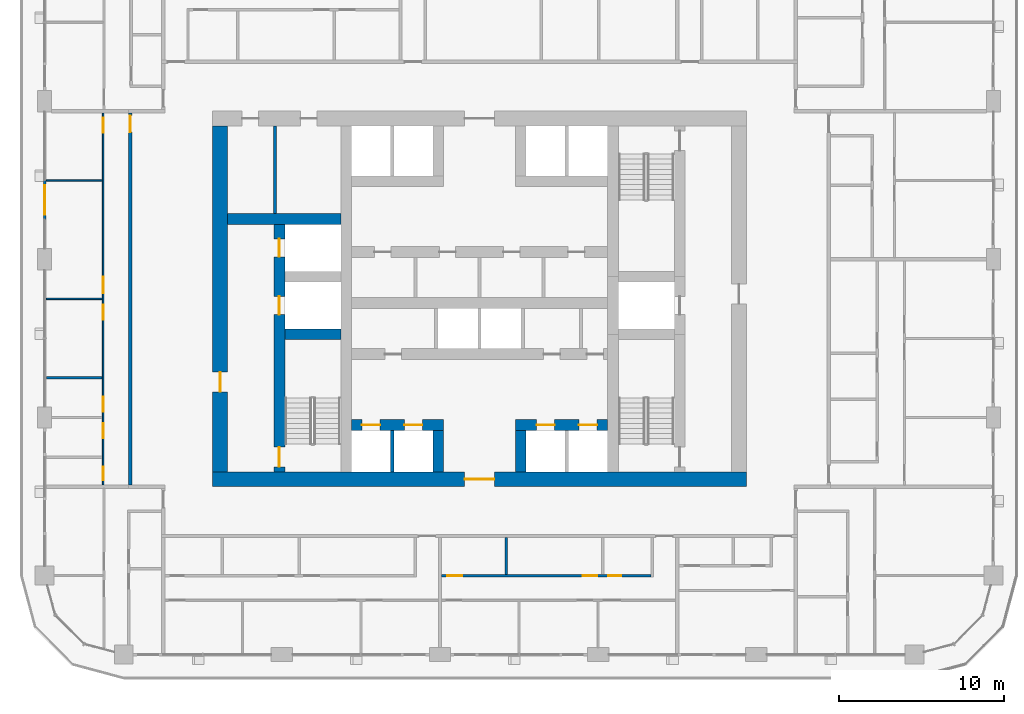
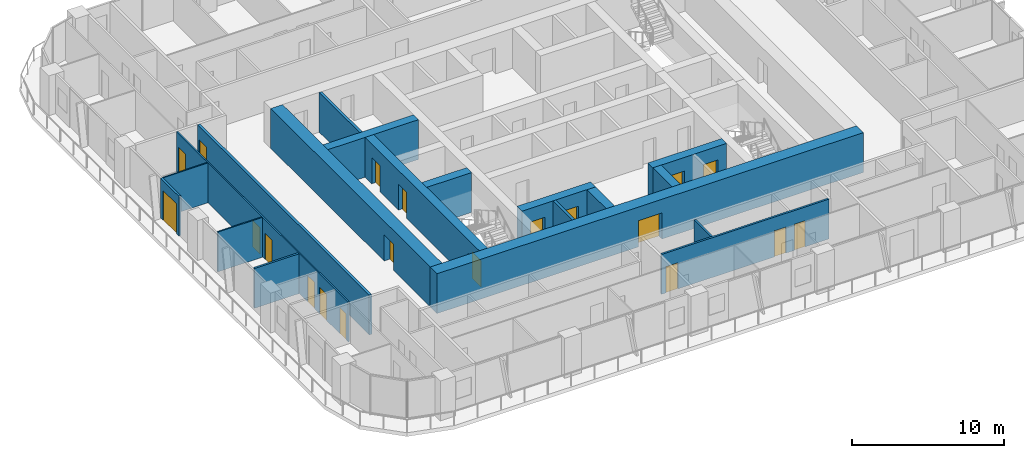
# One storey, part 10 of 21: 20 doors, 19 walls, 20 openings.
"""IFC4 building model written with IfcOpenShell, lengths in metres."""

from ifc_helpers import new_model, si_unit, direction, frame, frame_2d, origin, place, context, subcontext, project, spatial, rectangle, extrude, material, layer, layer_set, type_object, element, fill, save


model = new_model("IFC4")

# Units and contexts
model_context = context("Model", 3, precision=1e-05, world=origin(), true_north=direction((0.0, 1.0)))
body_context = subcontext(model_context, "Body", "Model", "MODEL_VIEW")
ifc_project = project(units=[si_unit("LENGTHUNIT", "METRE"), si_unit("AREAUNIT", "SQUARE_METRE"), si_unit("VOLUMEUNIT", "CUBIC_METRE"), si_unit("PLANEANGLEUNIT", "RADIAN"), si_unit("MASSUNIT", "GRAM", prefix="KILO")], contexts=[model_context])

# Site, building, storey
site_placement = place(None, origin())
site = spatial("IfcSite", under=ifc_project, at=site_placement, CompositionType="ELEMENT")
building_placement = place(site_placement, origin())
building = spatial("IfcBuilding", under=site, at=building_placement, Name="Madar Terraces", CompositionType="ELEMENT")
storey_placement = place(building_placement, frame((0.0, 0.0, 92.699951171875)))
storey = spatial("IfcBuildingStorey", under=building, at=storey_placement, Name="L23", CompositionType="ELEMENT", Elevation=92.699951171875)

# Wall, openings, doors
ifc_material_1 = material(Name="Concrete C80/95", Category="concrete")
ifc_layer_1 = layer(ifc_material_1, 0.64990234375)
ifc_layer_set_1 = layer_set([ifc_layer_1], Name="Concrete C80/95 (CIW2 RC wall 650)")
wall_type_1 = type_object("IfcWallType", Name="CIW2 RC wall 650", PredefinedType="SHEAR", material=ifc_layer_set_1)
wall_1_placement = place(storey_placement, frame((19.050048828125, 15.89990234375, 0.0), z_axis=(0.0, 0.0, 1.0), x_axis=(0.0, 1.0, 0.0)))
wall_1 = element("IfcWall", 1, at=wall_1_placement, inside=storey, type_object=wall_type_1, Name="CORE SHAFT WALL", PredefinedType="SHEAR", context=body_context, shape_type="SweptSolid", body=[
    extrude(rectangle(XDim=15.025146484375, YDim=0.64990234375, at=frame_2d((7.5126953125, 0.0))), origin(), (0.0, 0.0, 1.0), 3.199951171875),
])
opening_1_placement = place(wall_1_placement, frame((9.550048828125, 0.0, 0.0)))
opening_1 = element("IfcOpeningElement", 2, at=opening_1_placement, cuts=wall_1, Name="Opening LD", PredefinedType="OPENING", context=body_context, shape_type="SweptSolid", body=[
    extrude(rectangle(XDim=1.10009765625, YDim=2.10009765625, at=frame_2d((0.550048828125, 1.050048828125))), frame((0.0, 0.3349609375, 0.0), z_axis=(0.0, -1.0, 0.0), x_axis=(1.0, 0.0, 0.0)), (0.0, 0.0, 1.0), 0.669921875),
])
opening_2_placement = place(wall_1_placement, frame((13.050048828125, 0.0, 0.0)))
opening_2 = element("IfcOpeningElement", 3, at=opening_2_placement, cuts=wall_1, Name="Opening LD", PredefinedType="OPENING", context=body_context, shape_type="SweptSolid", body=[
    extrude(rectangle(XDim=1.10009765625, YDim=2.10009765625, at=frame_2d((0.550048828125, 1.050048828125))), frame((0.0, 0.3349609375, 0.0), z_axis=(0.0, -1.0, 0.0), x_axis=(1.0, 0.0, 0.0)), (0.0, 0.0, 1.0), 0.669921875),
])
opening_3_placement = place(wall_1_placement, frame((0.300048828125, 0.0, 0.0)))
opening_3 = element("IfcOpeningElement", 4, at=opening_3_placement, cuts=wall_1, Name="Opening SD1", PredefinedType="OPENING", context=body_context, shape_type="SweptSolid", body=[
    extrude(rectangle(XDim=1.199951171875, YDim=2.10009765625, at=frame_2d((0.60009765625, 1.050048828125))), frame((0.0, 0.3349609375, 0.0), z_axis=(0.0, -1.0, 0.0), x_axis=(1.0, 0.0, 0.0)), (0.0, 0.0, 1.0), 0.669921875),
])
ifc_material_2 = material(Name="Stainless steel panel", Category="steel")
door_type_1 = type_object("IfcDoorType", Name="Lift landing door 1100 x 2100", OperationType="DOUBLE_DOOR_SLIDING", PredefinedType="DOOR", material=ifc_material_2)
door_1_placement = place(opening_1_placement, origin())
door_1 = element("IfcDoor", 5, at=door_1_placement, inside=storey, type_object=door_type_1, Name="LIFT LANDING DOOR", OperationType="DOUBLE_DOOR_SLIDING", OverallHeight=2.10009765625, OverallWidth=1.10009765625, PredefinedType="DOOR", context=body_context, shape_type="SweptSolid", body=[
    extrude(rectangle(XDim=1.10009765625, YDim=2.10009765625, at=frame_2d((0.550048828125, 1.050048828125))), frame((0.0, 0.02490234375, 0.0), z_axis=(0.0, -1.0, 0.0), x_axis=(1.0, 0.0, 0.0)), (0.0, 0.0, 1.0), 0.050048828125),
])
fill(opening_1, door_1)
door_2_placement = place(opening_2_placement, origin())
door_2 = element("IfcDoor", 6, at=door_2_placement, inside=storey, type_object=door_type_1, Name="LIFT LANDING DOOR", OperationType="DOUBLE_DOOR_SLIDING", OverallHeight=2.10009765625, OverallWidth=1.10009765625, PredefinedType="DOOR", context=body_context, shape_type="SweptSolid", body=[
    extrude(rectangle(XDim=1.10009765625, YDim=2.10009765625, at=frame_2d((0.550048828125, 1.050048828125))), frame((0.0, 0.02490234375, 0.0), z_axis=(0.0, -1.0, 0.0), x_axis=(1.0, 0.0, 0.0)), (0.0, 0.0, 1.0), 0.050048828125),
])
fill(opening_2, door_2)
ifc_material_3 = material(Name="Steel door leaf", Category="steel")
door_type_2 = type_object("IfcDoorType", Name="Stair door 1200 x 2100", OperationType="NOTDEFINED", PredefinedType="DOOR", material=ifc_material_3)
door_3_placement = place(opening_3_placement, frame((1.199951171875, 0.0, 0.0), z_axis=(0.0, 0.0, 1.0), x_axis=(-1.0, 0.0, 0.0)))
door_3 = element("IfcDoor", 7, at=door_3_placement, inside=storey, type_object=door_type_2, Name="STAIR DOOR", OperationType="SINGLE_SWING_LEFT", OverallHeight=2.10009765625, OverallWidth=1.199951171875, PredefinedType="DOOR", context=body_context, shape_type="SweptSolid", body=[
    extrude(rectangle(XDim=1.199951171875, YDim=2.10009765625, at=frame_2d((0.60009765625, 1.050048828125))), frame((0.0, 0.02490234375, 0.0), z_axis=(0.0, -1.0, 0.0), x_axis=(1.0, 0.0, 0.0)), (0.0, 0.0, 1.0), 0.050048828125),
])
fill(opening_3, door_3)

# Walls
wall_2_placement = place(storey_placement, frame((19.375, 24.25, 0.0), z_axis=(0.0, 0.0, 1.0), x_axis=(1.0, 0.0, 0.0)))
element("IfcWall", 8, at=wall_2_placement, inside=storey, type_object=wall_type_1, Name="CORE SHAFT WALL", PredefinedType="SHEAR", context=body_context, shape_type="SweptSolid", body=[
    extrude(rectangle(XDim=3.39990234375, YDim=0.64990234375, at=frame_2d((1.699951171875, 0.0))), origin(), (0.0, 0.0, 1.0), 3.199951171875),
])
wall_3_placement = place(storey_placement, frame((15.89990234375, 31.25, 0.0), z_axis=(0.0, 0.0, 1.0), x_axis=(1.0, 0.0, 0.0)))
element("IfcWall", 9, at=wall_3_placement, inside=storey, type_object=wall_type_1, Name="CORE SHAFT WALL", PredefinedType="SHEAR", context=body_context, shape_type="SweptSolid", body=[
    extrude(rectangle(XDim=6.875, YDim=0.64990234375, at=frame_2d((3.4375, 0.0))), origin(), (0.0, 0.0, 1.0), 3.199951171875),
])

# Wall, openings, doors
wall_4_placement = place(storey_placement, frame((23.425048828125, 18.75, 0.0), z_axis=(0.0, 0.0, 1.0), x_axis=(1.0, 0.0, 0.0)))
wall_4 = element("IfcWall", 10, at=wall_4_placement, inside=storey, type_object=wall_type_1, Name="CORE SHAFT WALL", PredefinedType="SHEAR", context=body_context, shape_type="SweptSolid", body=[
    extrude(rectangle(XDim=5.599853515625, YDim=0.64990234375, at=frame_2d((2.7998046875, 0.0))), origin(), (0.0, 0.0, 1.0), 3.199951171875),
])
opening_4_placement = place(wall_4_placement, frame((0.637451171875, 0.0, 0.0)))
opening_4 = element("IfcOpeningElement", 11, at=opening_4_placement, cuts=wall_4, Name="Opening LD", PredefinedType="OPENING", context=body_context, shape_type="SweptSolid", body=[
    extrude(rectangle(XDim=1.10009765625, YDim=2.10009765625, at=frame_2d((0.550048828125, 1.050048828125))), frame((0.0, 0.3349609375, 0.0), z_axis=(0.0, -1.0, 0.0), x_axis=(1.0, 0.0, 0.0)), (0.0, 0.0, 1.0), 0.669921875),
])
opening_5_placement = place(wall_4_placement, frame((3.21240234375, 0.0, 0.0)))
opening_5 = element("IfcOpeningElement", 12, at=opening_5_placement, cuts=wall_4, Name="Opening LD", PredefinedType="OPENING", context=body_context, shape_type="SweptSolid", body=[
    extrude(rectangle(XDim=1.10009765625, YDim=2.10009765625, at=frame_2d((0.550048828125, 1.050048828125))), frame((0.0, 0.3349609375, 0.0), z_axis=(0.0, -1.0, 0.0), x_axis=(1.0, 0.0, 0.0)), (0.0, 0.0, 1.0), 0.669921875),
])
door_4_placement = place(opening_4_placement, origin())
door_4 = element("IfcDoor", 13, at=door_4_placement, inside=storey, type_object=door_type_1, Name="LIFT LANDING DOOR", OperationType="DOUBLE_DOOR_SLIDING", OverallHeight=2.10009765625, OverallWidth=1.10009765625, PredefinedType="DOOR", context=body_context, shape_type="SweptSolid", body=[
    extrude(rectangle(XDim=1.10009765625, YDim=2.10009765625, at=frame_2d((0.550048828125, 1.050048828125))), frame((0.0, 0.02490234375, 0.0), z_axis=(0.0, -1.0, 0.0), x_axis=(1.0, 0.0, 0.0)), (0.0, 0.0, 1.0), 0.050048828125),
])
fill(opening_4, door_4)
door_5_placement = place(opening_5_placement, origin())
door_5 = element("IfcDoor", 14, at=door_5_placement, inside=storey, type_object=door_type_1, Name="LIFT LANDING DOOR", OperationType="DOUBLE_DOOR_SLIDING", OverallHeight=2.10009765625, OverallWidth=1.10009765625, PredefinedType="DOOR", context=body_context, shape_type="SweptSolid", body=[
    extrude(rectangle(XDim=1.10009765625, YDim=2.10009765625, at=frame_2d((0.550048828125, 1.050048828125))), frame((0.0, 0.02490234375, 0.0), z_axis=(0.0, -1.0, 0.0), x_axis=(1.0, 0.0, 0.0)), (0.0, 0.0, 1.0), 0.050048828125),
])
fill(opening_5, door_5)

wall_5_placement = place(storey_placement, frame((33.375, 18.75, 0.0), z_axis=(0.0, 0.0, 1.0), x_axis=(1.0, 0.0, 0.0)))
wall_5 = element("IfcWall", 15, at=wall_5_placement, inside=storey, type_object=wall_type_1, Name="CORE SHAFT WALL", PredefinedType="SHEAR", context=body_context, shape_type="SweptSolid", body=[
    extrude(rectangle(XDim=5.60009765625, YDim=0.64990234375, at=frame_2d((2.800048828125, 0.0))), origin(), (0.0, 0.0, 1.0), 3.199951171875),
])
opening_6_placement = place(wall_5_placement, frame((1.28759765625, 0.0, 0.0)))
opening_6 = element("IfcOpeningElement", 16, at=opening_6_placement, cuts=wall_5, Name="Opening LD", PredefinedType="OPENING", context=body_context, shape_type="SweptSolid", body=[
    extrude(rectangle(XDim=1.10009765625, YDim=2.10009765625, at=frame_2d((0.550048828125, 1.050048828125))), frame((0.0, 0.3349609375, 0.0), z_axis=(0.0, -1.0, 0.0), x_axis=(1.0, 0.0, 0.0)), (0.0, 0.0, 1.0), 0.669921875),
])
opening_7_placement = place(wall_5_placement, frame((3.862548828125, 0.0, 0.0)))
opening_7 = element("IfcOpeningElement", 17, at=opening_7_placement, cuts=wall_5, Name="Opening LD", PredefinedType="OPENING", context=body_context, shape_type="SweptSolid", body=[
    extrude(rectangle(XDim=1.10009765625, YDim=2.10009765625, at=frame_2d((0.550048828125, 1.050048828125))), frame((0.0, 0.3349609375, 0.0), z_axis=(0.0, -1.0, 0.0), x_axis=(1.0, 0.0, 0.0)), (0.0, 0.0, 1.0), 0.669921875),
])
door_6_placement = place(opening_6_placement, origin())
door_6 = element("IfcDoor", 18, at=door_6_placement, inside=storey, type_object=door_type_1, Name="LIFT LANDING DOOR", OperationType="DOUBLE_DOOR_SLIDING", OverallHeight=2.10009765625, OverallWidth=1.10009765625, PredefinedType="DOOR", context=body_context, shape_type="SweptSolid", body=[
    extrude(rectangle(XDim=1.10009765625, YDim=2.10009765625, at=frame_2d((0.550048828125, 1.050048828125))), frame((0.0, 0.02490234375, 0.0), z_axis=(0.0, -1.0, 0.0), x_axis=(1.0, 0.0, 0.0)), (0.0, 0.0, 1.0), 0.050048828125),
])
fill(opening_6, door_6)
door_7_placement = place(opening_7_placement, origin())
door_7 = element("IfcDoor", 19, at=door_7_placement, inside=storey, type_object=door_type_1, Name="LIFT LANDING DOOR", OperationType="DOUBLE_DOOR_SLIDING", OverallHeight=2.10009765625, OverallWidth=1.10009765625, PredefinedType="DOOR", context=body_context, shape_type="SweptSolid", body=[
    extrude(rectangle(XDim=1.10009765625, YDim=2.10009765625, at=frame_2d((0.550048828125, 1.050048828125))), frame((0.0, 0.02490234375, 0.0), z_axis=(0.0, -1.0, 0.0), x_axis=(1.0, 0.0, 0.0)), (0.0, 0.0, 1.0), 0.050048828125),
])
fill(opening_7, door_7)

# Walls
for number, where, z_axis, x_axis, name in (
    (20, (28.699951171875, 15.89990234375, 0.0), (0.0, 0.0, 1.0), (0.0, 1.0, 0.0), "CORE SHAFT WALL"),
    (21, (33.699951171875, 15.89990234375, 0.0), (0.0, 0.0, 1.0), (0.0, 1.0, 0.0), "CORE SHAFT WALL"),
):
    element("IfcWall", number, at=place(storey_placement, frame(where, z_axis=z_axis, x_axis=x_axis)), inside=storey, type_object=wall_type_1, Name=name, PredefinedType="SHEAR", context=body_context, shape_type="SweptSolid", body=[
        extrude(rectangle(XDim=2.525146484375, YDim=0.64990234375, at=frame_2d((1.2626953125, 0.0))), origin(), (0.0, 0.0, 1.0), 3.199951171875),
    ])

# Wall, opening, door
ifc_material_4 = material(Name="Concrete C80/95", Category="concrete")
ifc_layer_2 = layer(ifc_material_4, 0.89990234375)
ifc_layer_set_2 = layer_set([ifc_layer_2], Name="Concrete C80/95 (CRW2 RC wall 900)")
wall_type_2 = type_object("IfcWallType", Name="CRW2 RC wall 900", PredefinedType="SHEAR", material=ifc_layer_set_2)
wall_6_placement = place(storey_placement, frame((15.0, 15.449951171875, 0.0), z_axis=(0.0, 0.0, 1.0), x_axis=(1.0, 0.0, 0.0)))
wall_6 = element("IfcWall", 22, at=wall_6_placement, inside=storey, type_object=wall_type_2, Name="CORE OUTER WALL", PredefinedType="SHEAR", context=body_context, shape_type="SweptSolid", body=[
    extrude(rectangle(XDim=32.39990234375, YDim=0.89990234375, at=frame_2d((16.199951171875, 0.0))), origin(), (0.0, 0.0, 1.0), 3.199951171875),
])
opening_8_placement = place(wall_6_placement, frame((15.300048828125, 0.0, 0.0)))
opening_8 = element("IfcOpeningElement", 23, at=opening_8_placement, cuts=wall_6, Name="Opening KD1", PredefinedType="OPENING", context=body_context, shape_type="SweptSolid", body=[
    extrude(rectangle(XDim=1.800048828125, YDim=2.10009765625, at=frame_2d((0.89990234375, 1.050048828125))), frame((0.0, 0.4599609375, 0.0), z_axis=(0.0, -1.0, 0.0), x_axis=(1.0, 0.0, 0.0)), (0.0, 0.0, 1.0), 0.919921875),
])
ifc_material_5 = material(Name="Steel door leaf", Category="steel")
door_type_3 = type_object("IfcDoorType", Name="Lobby door pair 1800 x 2100", OperationType="DOUBLE_DOOR_SINGLE_SWING", PredefinedType="DOOR", material=ifc_material_5)
door_8_placement = place(opening_8_placement, frame((1.800048828125, 0.0, 0.0), z_axis=(0.0, 0.0, 1.0), x_axis=(-1.0, 0.0, 0.0)))
door_8 = element("IfcDoor", 24, at=door_8_placement, inside=storey, type_object=door_type_3, Name="LIFT LOBBY DOOR", OperationType="DOUBLE_DOOR_SINGLE_SWING", OverallHeight=2.10009765625, OverallWidth=1.800048828125, PredefinedType="DOOR", context=body_context, shape_type="SweptSolid", body=[
    extrude(rectangle(XDim=1.800048828125, YDim=2.10009765625, at=frame_2d((0.89990234375, 1.050048828125))), frame((0.0, 0.02490234375, 0.0), z_axis=(0.0, -1.0, 0.0), x_axis=(1.0, 0.0, 0.0)), (0.0, 0.0, 1.0), 0.050048828125),
])
fill(opening_8, door_8)

wall_7_placement = place(storey_placement, frame((15.449951171875, 15.89990234375, 0.0), z_axis=(0.0, 0.0, 1.0), x_axis=(0.0, 1.0, 0.0)))
wall_7 = element("IfcWall", 25, at=wall_7_placement, inside=storey, type_object=wall_type_2, Name="CORE OUTER WALL", PredefinedType="SHEAR", context=body_context, shape_type="SweptSolid", body=[
    extrude(rectangle(XDim=21.0, YDim=0.89990234375, at=frame_2d((10.5, 0.0))), origin(), (0.0, 0.0, 1.0), 3.199951171875),
])
opening_9_placement = place(wall_7_placement, frame((4.860107421875, 0.0, 0.0)))
opening_9 = element("IfcOpeningElement", 26, at=opening_9_placement, cuts=wall_7, Name="Opening SD1", PredefinedType="OPENING", context=body_context, shape_type="SweptSolid", body=[
    extrude(rectangle(XDim=1.199951171875, YDim=2.10009765625, at=frame_2d((0.60009765625, 1.050048828125))), frame((0.0, 0.4599609375, 0.0), z_axis=(0.0, -1.0, 0.0), x_axis=(1.0, 0.0, 0.0)), (0.0, 0.0, 1.0), 0.919921875),
])
door_9_placement = place(opening_9_placement, frame((1.199951171875, 0.0, 0.0), z_axis=(0.0, 0.0, 1.0), x_axis=(-1.0, 0.0, 0.0)))
door_9 = element("IfcDoor", 27, at=door_9_placement, inside=storey, type_object=door_type_2, Name="STAIR DOOR", OperationType="SINGLE_SWING_RIGHT", OverallHeight=2.10009765625, OverallWidth=1.199951171875, PredefinedType="DOOR", context=body_context, shape_type="SweptSolid", body=[
    extrude(rectangle(XDim=1.199951171875, YDim=2.10009765625, at=frame_2d((0.60009765625, 1.050048828125))), frame((0.0, 0.02490234375, 0.0), z_axis=(0.0, -1.0, 0.0), x_axis=(1.0, 0.0, 0.0)), (0.0, 0.0, 1.0), 0.050048828125),
])
fill(opening_9, door_9)

# Walls
ifc_material_6 = material(Name="Masonry blockwork", Category="masonry")
ifc_layer_3 = layer(ifc_material_6, 0.199951171875)
ifc_layer_set_3 = layer_set([ifc_layer_3], Name="Core partition 200 blockwork")
wall_type_3 = type_object("IfcWallType", Name="Core partition 200 blockwork", PredefinedType="PARTITIONING", material=ifc_layer_set_3)
wall_8_placement = place(storey_placement, frame((18.78759765625, 31.574951171875, 0.0), z_axis=(0.0, 0.0, 1.0), x_axis=(0.0, 1.0, 0.0)))
element("IfcWall", 28, at=wall_8_placement, inside=storey, type_object=wall_type_3, Name="SERVICE ROOM PARTITION", PredefinedType="PARTITIONING", context=body_context, shape_type="SweptSolid", body=[
    extrude(rectangle(XDim=5.324951171875, YDim=0.199951171875, at=frame_2d((2.66259765625, 0.0))), origin(), (0.0, 0.0, 1.0), 3.199951171875),
])
ifc_material_7 = material(Name="Concrete C40/50", Category="concrete")
ifc_layer_4 = layer(ifc_material_7, 0.199951171875)
ifc_layer_set_4 = layer_set([ifc_layer_4], Name="Core shaft dividing wall 200 C40/50")
wall_type_4 = type_object("IfcWallType", Name="Core shaft dividing wall 200 C40/50", PredefinedType="SOLIDWALL", material=ifc_layer_set_4)
wall_9_placement = place(storey_placement, frame((25.89990234375, 15.89990234375, 0.0), z_axis=(0.0, 0.0, 1.0), x_axis=(0.0, 1.0, 0.0)))
element("IfcWall", 29, at=wall_9_placement, inside=storey, type_object=wall_type_4, Name="SHAFT DIVIDING WALL", PredefinedType="SOLIDWALL", context=body_context, shape_type="SweptSolid", body=[
    extrude(rectangle(XDim=2.525146484375, YDim=0.199951171875, at=frame_2d((1.2626953125, 0.0))), origin(), (0.0, 0.0, 1.0), 3.199951171875),
])

# Wall, opening, door
ifc_material_8 = material(Name="Aluminium composite panel, black, over insulated backing", Category="aluminium")
ifc_layer_5 = layer(ifc_material_8, 0.14990234375)
ifc_layer_set_5 = layer_set([ifc_layer_5], Name="Facade bay panel 150")
wall_type_5 = type_object("IfcWallType", Name="Facade bay panel 150", PredefinedType="SOLIDWALL", material=ifc_layer_set_5)
wall_10_placement = place(storey_placement, frame((4.800048828125, 33.60009765625, 0.0), z_axis=(0.0, 0.0, 1.0), x_axis=(0.0, -1.0, 0.0)))
wall_10 = element("IfcWall", 30, at=wall_10_placement, inside=storey, type_object=wall_type_5, Name="Facade bay panel", PredefinedType="SOLIDWALL", context=body_context, shape_type="SweptSolid", body=[
    extrude(rectangle(XDim=2.400146484375, YDim=0.14990234375, at=frame_2d((1.2001953125, 0.0))), origin(), (0.0, 0.0, 1.0), 3.199951171875),
])
opening_10_placement = place(wall_10_placement, frame((0.300048828125, 0.0, 0.0)))
opening_10 = element("IfcOpeningElement", 31, at=opening_10_placement, cuts=wall_10, Name="Opening ED1", PredefinedType="OPENING", context=body_context, shape_type="SweptSolid", body=[
    extrude(rectangle(XDim=1.800048828125, YDim=2.39990234375, at=frame_2d((0.89990234375, 1.199951171875))), frame((0.0, 0.0849609375, 0.0), z_axis=(0.0, -1.0, 0.0), x_axis=(1.0, 0.0, 0.0)), (0.0, 0.0, 1.0), 0.169921875),
])
ifc_material_9 = material(Name="Glass, clear, with black aluminium frame", Category="aluminium")
door_type_4 = type_object("IfcDoorType", Name="Balcony and terrace sliding door 1800 x 2400", OperationType="SLIDING_TO_LEFT", PredefinedType="DOOR", material=ifc_material_9)
door_10_placement = place(opening_10_placement, origin())
door_10 = element("IfcDoor", 32, at=door_10_placement, inside=storey, type_object=door_type_4, Name="Balcony door", OperationType="SLIDING_TO_LEFT", OverallHeight=2.39990234375, OverallWidth=1.800048828125, PredefinedType="DOOR", context=body_context, shape_type="SweptSolid", body=[
    extrude(rectangle(XDim=1.800048828125, YDim=2.39990234375, at=frame_2d((0.89990234375, 1.199951171875))), frame((0.0, 0.02490234375, 0.0), z_axis=(0.0, -1.0, 0.0), x_axis=(1.0, 0.0, 0.0)), (0.0, 0.0, 1.0), 0.050048828125),
])
fill(opening_10, door_10)

# Walls
ifc_material_10 = material(Name="Gypsum board on steel studs", Category="steel")
ifc_layer_6 = layer(ifc_material_10, 0.10009765625)
ifc_layer_set_6 = layer_set([ifc_layer_6], Name="Flat partition 100")
wall_type_6 = type_object("IfcWallType", Name="Flat partition 100", PredefinedType="PARTITIONING", material=ifc_layer_set_6)
for number, where, z_axis, x_axis, name in (
    (33, (8.300048828125, 33.60009765625, 0.0), (0.0, 0.0, 1.0), (-1.0, 0.0, 0.0), "Flat partition 100"),
    (34, (8.300048828125, 26.39990234375, 0.0), (0.0, 0.0, 1.0), (-1.0, 0.0, 0.0), "Flat partition 100"),
):
    element("IfcWall", number, at=place(storey_placement, frame(where, z_axis=z_axis, x_axis=x_axis)), inside=storey, type_object=wall_type_6, Name=name, PredefinedType="PARTITIONING", context=body_context, shape_type="SweptSolid", body=[
        extrude(rectangle(XDim=3.400146484375, YDim=0.10009765625, at=frame_2d((1.7001953125, 0.0))), origin(), (0.0, 0.0, 1.0), 3.199951171875),
    ])

# Wall, openings, doors
wall_11_placement = place(storey_placement, frame((8.35009765625, 15.10009765625, 0.0), z_axis=(0.0, 0.0, 1.0), x_axis=(0.0, 1.0, 0.0)))
wall_11 = element("IfcWall", 35, at=wall_11_placement, inside=storey, type_object=wall_type_6, Name="Flat partition 100", PredefinedType="PARTITIONING", context=body_context, shape_type="SweptSolid", body=[
    extrude(rectangle(XDim=22.599853515625, YDim=0.10009765625, at=frame_2d((11.2998046875, 0.0))), origin(), (0.0, 0.0, 1.0), 3.199951171875),
])
opening_11_placement = place(wall_11_placement, frame((21.39990234375, 0.0, 0.0)))
opening_11 = element("IfcOpeningElement", 36, at=opening_11_placement, cuts=wall_11, Name="Opening D2", PredefinedType="OPENING", context=body_context, shape_type="SweptSolid", body=[
    extrude(rectangle(XDim=0.89990234375, YDim=2.10009765625, at=frame_2d((0.449951171875, 1.050048828125))), frame((0.0, 0.06005859375, 0.0), z_axis=(0.0, -1.0, 0.0), x_axis=(1.0, 0.0, 0.0)), (0.0, 0.0, 1.0), 0.1201171875),
])
opening_12_placement = place(wall_11_placement, frame((11.64990234375, 0.0, 0.0)))
opening_12 = element("IfcOpeningElement", 37, at=opening_12_placement, cuts=wall_11, Name="Opening D3", PredefinedType="OPENING", context=body_context, shape_type="SweptSolid", body=[
    extrude(rectangle(XDim=1.0, YDim=2.10009765625, at=frame_2d((0.5, 1.050048828125))), frame((0.0, 0.06005859375, 0.0), z_axis=(0.0, -1.0, 0.0), x_axis=(1.0, 0.0, 0.0)), (0.0, 0.0, 1.0), 0.1201171875),
])
opening_13_placement = place(wall_11_placement, frame((10.050048828125, 0.0, 0.0)))
opening_13 = element("IfcOpeningElement", 38, at=opening_13_placement, cuts=wall_11, Name="Opening D2", PredefinedType="OPENING", context=body_context, shape_type="SweptSolid", body=[
    extrude(rectangle(XDim=0.89990234375, YDim=2.10009765625, at=frame_2d((0.449951171875, 1.050048828125))), frame((0.0, 0.06005859375, 0.0), z_axis=(0.0, -1.0, 0.0), x_axis=(1.0, 0.0, 0.0)), (0.0, 0.0, 1.0), 0.1201171875),
])
opening_14_placement = place(wall_11_placement, frame((4.449951171875, 0.0, 0.0)))
opening_14 = element("IfcOpeningElement", 39, at=opening_14_placement, cuts=wall_11, Name="Opening D5", PredefinedType="OPENING", context=body_context, shape_type="SweptSolid", body=[
    extrude(rectangle(XDim=0.89990234375, YDim=2.10009765625, at=frame_2d((0.449951171875, 1.050048828125))), frame((0.0, 0.06005859375, 0.0), z_axis=(0.0, -1.0, 0.0), x_axis=(1.0, 0.0, 0.0)), (0.0, 0.0, 1.0), 0.1201171875),
])
opening_15_placement = place(wall_11_placement, frame((2.85009765625, 0.0, 0.0)))
opening_15 = element("IfcOpeningElement", 40, at=opening_15_placement, cuts=wall_11, Name="Opening D2", PredefinedType="OPENING", context=body_context, shape_type="SweptSolid", body=[
    extrude(rectangle(XDim=0.89990234375, YDim=2.10009765625, at=frame_2d((0.449951171875, 1.050048828125))), frame((0.0, 0.06005859375, 0.0), z_axis=(0.0, -1.0, 0.0), x_axis=(1.0, 0.0, 0.0)), (0.0, 0.0, 1.0), 0.1201171875),
])
opening_16_placement = place(wall_11_placement, frame((0.300048828125, 0.0, 0.0)))
opening_16 = element("IfcOpeningElement", 41, at=opening_16_placement, cuts=wall_11, Name="Opening D4", PredefinedType="OPENING", context=body_context, shape_type="SweptSolid", body=[
    extrude(rectangle(XDim=0.800048828125, YDim=2.10009765625, at=frame_2d((0.39990234375, 1.050048828125))), frame((0.0, 0.06005859375, 0.0), z_axis=(0.0, -1.0, 0.0), x_axis=(1.0, 0.0, 0.0)), (0.0, 0.0, 1.0), 0.1201171875),
])
ifc_material_11 = material(Name="Timber door leaf", Category="wood")
door_type_5 = type_object("IfcDoorType", Name="Flat accessible bathroom door 900", OperationType="NOTDEFINED", PredefinedType="DOOR", material=ifc_material_11)
door_11_placement = place(opening_14_placement, origin())
door_11 = element("IfcDoor", 42, at=door_11_placement, inside=storey, type_object=door_type_5, Name="Flat accessible bathroom door 900", OperationType="SINGLE_SWING_LEFT", OverallHeight=2.10009765625, OverallWidth=0.89990234375, PredefinedType="DOOR", context=body_context, shape_type="SweptSolid", body=[
    extrude(rectangle(XDim=0.89990234375, YDim=2.10009765625, at=frame_2d((0.449951171875, 1.050048828125))), frame((0.0, 0.02490234375, 0.0), z_axis=(0.0, -1.0, 0.0), x_axis=(1.0, 0.0, 0.0)), (0.0, 0.0, 1.0), 0.050048828125),
])
fill(opening_14, door_11)
ifc_material_12 = material(Name="Timber door leaf", Category="wood")
door_type_6 = type_object("IfcDoorType", Name="Flat bathroom door 800", OperationType="NOTDEFINED", PredefinedType="DOOR", material=ifc_material_12)
door_12_placement = place(opening_16_placement, origin())
door_12 = element("IfcDoor", 43, at=door_12_placement, inside=storey, type_object=door_type_6, Name="Flat bathroom door 800", OperationType="SINGLE_SWING_LEFT", OverallHeight=2.10009765625, OverallWidth=0.800048828125, PredefinedType="DOOR", context=body_context, shape_type="SweptSolid", body=[
    extrude(rectangle(XDim=0.800048828125, YDim=2.10009765625, at=frame_2d((0.39990234375, 1.050048828125))), frame((0.0, 0.02490234375, 0.0), z_axis=(0.0, -1.0, 0.0), x_axis=(1.0, 0.0, 0.0)), (0.0, 0.0, 1.0), 0.050048828125),
])
fill(opening_16, door_12)
ifc_material_13 = material(Name="Timber door leaf", Category="wood")
door_type_7 = type_object("IfcDoorType", Name="Flat living room door 1000", OperationType="NOTDEFINED", PredefinedType="DOOR", material=ifc_material_13)
door_13_placement = place(opening_12_placement, origin())
door_13 = element("IfcDoor", 44, at=door_13_placement, inside=storey, type_object=door_type_7, Name="Flat living room door 1000", OperationType="SINGLE_SWING_LEFT", OverallHeight=2.10009765625, OverallWidth=1.0, PredefinedType="DOOR", context=body_context, shape_type="SweptSolid", body=[
    extrude(rectangle(XDim=1.0, YDim=2.10009765625, at=frame_2d((0.5, 1.050048828125))), frame((0.0, 0.02490234375, 0.0), z_axis=(0.0, -1.0, 0.0), x_axis=(1.0, 0.0, 0.0)), (0.0, 0.0, 1.0), 0.050048828125),
])
fill(opening_12, door_13)
ifc_material_14 = material(Name="Timber door leaf", Category="wood")
door_type_8 = type_object("IfcDoorType", Name="Flat room door 900", OperationType="NOTDEFINED", PredefinedType="DOOR", material=ifc_material_14)
door_14_placement = place(opening_11_placement, origin())
door_14 = element("IfcDoor", 45, at=door_14_placement, inside=storey, type_object=door_type_8, Name="Flat room door 900", OperationType="SINGLE_SWING_RIGHT", OverallHeight=2.10009765625, OverallWidth=0.89990234375, PredefinedType="DOOR", context=body_context, shape_type="SweptSolid", body=[
    extrude(rectangle(XDim=0.89990234375, YDim=2.10009765625, at=frame_2d((0.449951171875, 1.050048828125))), frame((0.0, 0.02490234375, 0.0), z_axis=(0.0, -1.0, 0.0), x_axis=(1.0, 0.0, 0.0)), (0.0, 0.0, 1.0), 0.050048828125),
])
fill(opening_11, door_14)
door_15_placement = place(opening_13_placement, origin())
door_15 = element("IfcDoor", 46, at=door_15_placement, inside=storey, type_object=door_type_8, Name="Flat room door 900", OperationType="SINGLE_SWING_RIGHT", OverallHeight=2.10009765625, OverallWidth=0.89990234375, PredefinedType="DOOR", context=body_context, shape_type="SweptSolid", body=[
    extrude(rectangle(XDim=0.89990234375, YDim=2.10009765625, at=frame_2d((0.449951171875, 1.050048828125))), frame((0.0, 0.02490234375, 0.0), z_axis=(0.0, -1.0, 0.0), x_axis=(1.0, 0.0, 0.0)), (0.0, 0.0, 1.0), 0.050048828125),
])
fill(opening_13, door_15)
door_16_placement = place(opening_15_placement, origin())
door_16 = element("IfcDoor", 47, at=door_16_placement, inside=storey, type_object=door_type_8, Name="Flat room door 900", OperationType="SINGLE_SWING_RIGHT", OverallHeight=2.10009765625, OverallWidth=0.89990234375, PredefinedType="DOOR", context=body_context, shape_type="SweptSolid", body=[
    extrude(rectangle(XDim=0.89990234375, YDim=2.10009765625, at=frame_2d((0.449951171875, 1.050048828125))), frame((0.0, 0.02490234375, 0.0), z_axis=(0.0, -1.0, 0.0), x_axis=(1.0, 0.0, 0.0)), (0.0, 0.0, 1.0), 0.050048828125),
])
fill(opening_15, door_16)

# Wall, opening, door
ifc_material_15 = material(Name="Lightweight blockwork", Category="masonry")
ifc_layer_7 = layer(ifc_material_15, 0.199951171875)
ifc_layer_set_7 = layer_set([ifc_layer_7], Name="Flat party and entrance wall 200")
wall_type_7 = type_object("IfcWallType", Name="Flat party and entrance wall 200", PredefinedType="PARTITIONING", material=ifc_layer_set_7)
wall_12_placement = place(storey_placement, frame((10.0, 15.10009765625, 0.0), z_axis=(0.0, 0.0, 1.0), x_axis=(0.0, 1.0, 0.0)))
wall_12 = element("IfcWall", 48, at=wall_12_placement, inside=storey, type_object=wall_type_7, Name="Flat party and entrance wall 200", PredefinedType="PARTITIONING", context=body_context, shape_type="SweptSolid", body=[
    extrude(rectangle(XDim=22.599853515625, YDim=0.199951171875, at=frame_2d((11.2998046875, 0.0))), origin(), (0.0, 0.0, 1.0), 3.199951171875),
])
opening_17_placement = place(wall_12_placement, frame((21.425048828125, 0.0, 0.0)))
opening_17 = element("IfcOpeningElement", 49, at=opening_17_placement, cuts=wall_12, Name="Opening D1", PredefinedType="OPENING", context=body_context, shape_type="SweptSolid", body=[
    extrude(rectangle(XDim=1.0, YDim=2.10009765625, at=frame_2d((0.5, 1.050048828125))), frame((0.0, 0.10986328125, 0.0), z_axis=(0.0, -1.0, 0.0), x_axis=(1.0, 0.0, 0.0)), (0.0, 0.0, 1.0), 0.219970703125),
])
ifc_material_16 = material(Name="Timber fire door leaf", Category="wood")
door_type_9 = type_object("IfcDoorType", Name="Flat entrance door 1000 FD30S", OperationType="NOTDEFINED", PredefinedType="DOOR", material=ifc_material_16)
door_17_placement = place(opening_17_placement, origin())
door_17 = element("IfcDoor", 50, at=door_17_placement, inside=storey, type_object=door_type_9, Name="Flat entrance door 1000 FD30S", OperationType="SINGLE_SWING_RIGHT", OverallHeight=2.10009765625, OverallWidth=1.0, PredefinedType="DOOR", context=body_context, shape_type="SweptSolid", body=[
    extrude(rectangle(XDim=1.0, YDim=2.10009765625, at=frame_2d((0.5, 1.050048828125))), frame((0.0, 0.02490234375, 0.0), z_axis=(0.0, -1.0, 0.0), x_axis=(1.0, 0.0, 0.0)), (0.0, 0.0, 1.0), 0.050048828125),
])
fill(opening_17, door_17)

# Wall
ifc_material_17 = material(Name="Lightweight blockwork", Category="masonry")
ifc_layer_8 = layer(ifc_material_17, 0.14990234375)
ifc_layer_set_8 = layer_set([ifc_layer_8], Name="Flat wet-room partition 150")
wall_type_8 = type_object("IfcWallType", Name="Flat wet-room partition 150", PredefinedType="PARTITIONING", material=ifc_layer_set_8)
wall_13_placement = place(storey_placement, frame((32.8154296875, 11.89990234375, 0.0), z_axis=(0.0, 0.0, 1.0), x_axis=(0.0, -1.0, 0.0)))
element("IfcWall", 51, at=wall_13_placement, inside=storey, type_object=wall_type_8, Name="Flat wet-room partition 150", PredefinedType="PARTITIONING", context=body_context, shape_type="SweptSolid", body=[
    extrude(rectangle(XDim=2.224853515625, YDim=0.14990234375, at=frame_2d((1.1123046875, 0.0))), origin(), (0.0, 0.0, 1.0), 3.199951171875),
])

# Wall, openings, doors
wall_14_placement = place(storey_placement, frame((28.89990234375, 9.60009765625, 0.0), z_axis=(0.0, 0.0, 1.0), x_axis=(1.0, 0.0, 0.0)))
wall_14 = element("IfcWall", 52, at=wall_14_placement, inside=storey, type_object=wall_type_8, Name="Flat wet-room partition 150", PredefinedType="PARTITIONING", context=body_context, shape_type="SweptSolid", body=[
    extrude(rectangle(XDim=12.72509765625, YDim=0.14990234375, at=frame_2d((6.362548828125, 0.0))), origin(), (0.0, 0.0, 1.0), 3.199951171875),
])
opening_18_placement = place(wall_14_placement, frame((10.113525390625, 0.0, 0.0)))
opening_18 = element("IfcOpeningElement", 53, at=opening_18_placement, cuts=wall_14, Name="Opening D4", PredefinedType="OPENING", context=body_context, shape_type="SweptSolid", body=[
    extrude(rectangle(XDim=0.800048828125, YDim=2.10009765625, at=frame_2d((0.39990234375, 1.050048828125))), frame((0.0, 0.0849609375, 0.0), z_axis=(0.0, -1.0, 0.0), x_axis=(1.0, 0.0, 0.0)), (0.0, 0.0, 1.0), 0.169921875),
])
opening_19_placement = place(wall_14_placement, frame((8.5634765625, 0.0, 0.0)))
opening_19 = element("IfcOpeningElement", 54, at=opening_19_placement, cuts=wall_14, Name="Opening D2", PredefinedType="OPENING", context=body_context, shape_type="SweptSolid", body=[
    extrude(rectangle(XDim=0.89990234375, YDim=2.10009765625, at=frame_2d((0.449951171875, 1.050048828125))), frame((0.0, 0.0849609375, 0.0), z_axis=(0.0, -1.0, 0.0), x_axis=(1.0, 0.0, 0.0)), (0.0, 0.0, 1.0), 0.169921875),
])
opening_20_placement = place(wall_14_placement, frame((0.35009765625, 0.0, 0.0)))
opening_20 = element("IfcOpeningElement", 55, at=opening_20_placement, cuts=wall_14, Name="Opening D5", PredefinedType="OPENING", context=body_context, shape_type="SweptSolid", body=[
    extrude(rectangle(XDim=0.89990234375, YDim=2.10009765625, at=frame_2d((0.449951171875, 1.050048828125))), frame((0.0, 0.0849609375, 0.0), z_axis=(0.0, -1.0, 0.0), x_axis=(1.0, 0.0, 0.0)), (0.0, 0.0, 1.0), 0.169921875),
])
door_18_placement = place(opening_20_placement, origin())
door_18 = element("IfcDoor", 56, at=door_18_placement, inside=storey, type_object=door_type_5, Name="Flat accessible bathroom door 900", OperationType="SINGLE_SWING_LEFT", OverallHeight=2.10009765625, OverallWidth=0.89990234375, PredefinedType="DOOR", context=body_context, shape_type="SweptSolid", body=[
    extrude(rectangle(XDim=0.89990234375, YDim=2.10009765625, at=frame_2d((0.449951171875, 1.050048828125))), frame((0.0, 0.02490234375, 0.0), z_axis=(0.0, -1.0, 0.0), x_axis=(1.0, 0.0, 0.0)), (0.0, 0.0, 1.0), 0.050048828125),
])
fill(opening_20, door_18)
door_19_placement = place(opening_18_placement, origin())
door_19 = element("IfcDoor", 57, at=door_19_placement, inside=storey, type_object=door_type_6, Name="Flat bathroom door 800", OperationType="SINGLE_SWING_LEFT", OverallHeight=2.10009765625, OverallWidth=0.800048828125, PredefinedType="DOOR", context=body_context, shape_type="SweptSolid", body=[
    extrude(rectangle(XDim=0.800048828125, YDim=2.10009765625, at=frame_2d((0.39990234375, 1.050048828125))), frame((0.0, 0.02490234375, 0.0), z_axis=(0.0, -1.0, 0.0), x_axis=(1.0, 0.0, 0.0)), (0.0, 0.0, 1.0), 0.050048828125),
])
fill(opening_18, door_19)
door_20_placement = place(opening_19_placement, origin())
door_20 = element("IfcDoor", 58, at=door_20_placement, inside=storey, type_object=door_type_8, Name="Flat room door 900", OperationType="SINGLE_SWING_RIGHT", OverallHeight=2.10009765625, OverallWidth=0.89990234375, PredefinedType="DOOR", context=body_context, shape_type="SweptSolid", body=[
    extrude(rectangle(XDim=0.89990234375, YDim=2.10009765625, at=frame_2d((0.449951171875, 1.050048828125))), frame((0.0, 0.02490234375, 0.0), z_axis=(0.0, -1.0, 0.0), x_axis=(1.0, 0.0, 0.0)), (0.0, 0.0, 1.0), 0.050048828125),
])
fill(opening_19, door_20)

# Wall
wall_15_placement = place(storey_placement, frame((8.27490234375, 21.60009765625, 0.0), z_axis=(0.0, 0.0, 1.0), x_axis=(-1.0, 0.0, 0.0)))
element("IfcWall", 59, at=wall_15_placement, inside=storey, type_object=wall_type_8, Name="Flat wet-room partition 150", PredefinedType="PARTITIONING", context=body_context, shape_type="SweptSolid", body=[
    extrude(rectangle(XDim=3.375, YDim=0.14990234375, at=frame_2d((1.6875, 0.0))), origin(), (0.0, 0.0, 1.0), 3.199951171875),
])

save(model, "model.ifc")
